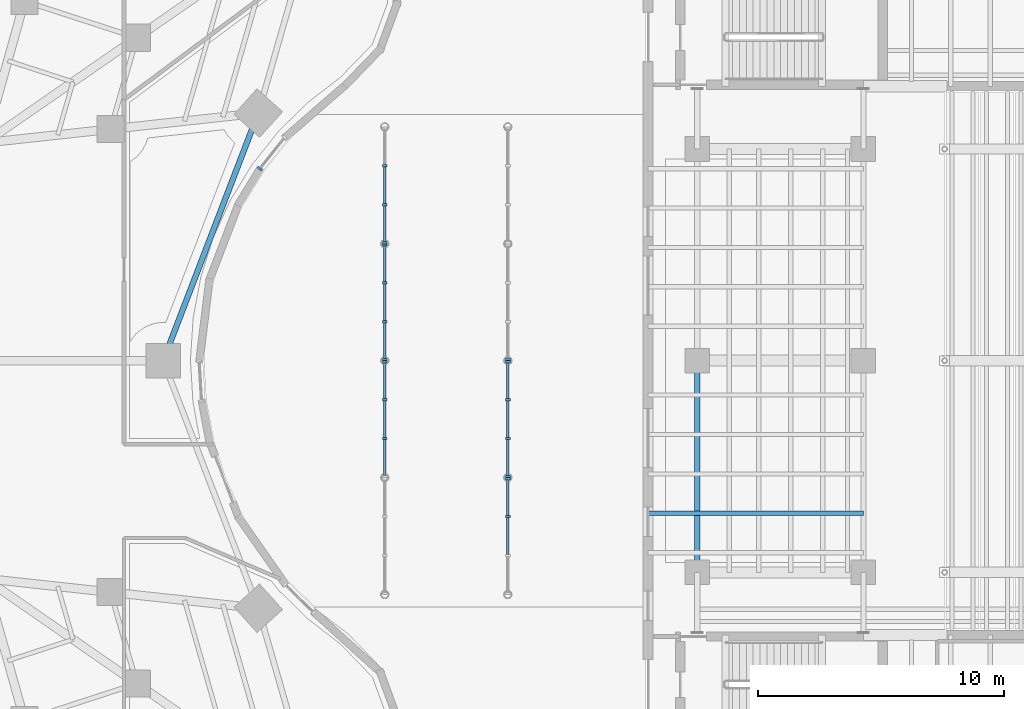
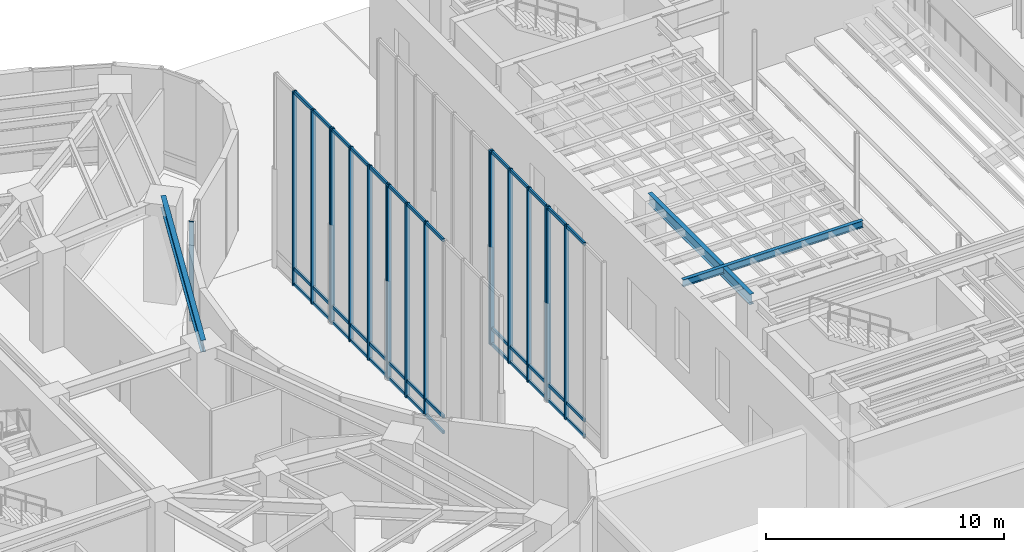
# One storey, part 9 of 28: 57 members, 3 beams, 7 elements without a shape of their own.
"""IFC4 building model written with IfcOpenShell, lengths in metres."""

import ifcopenshell
import ifcopenshell.guid

model = None  # the IFC model being written
_history = None  # IfcOwnerHistory: only IFC2X3 demands one
_inside = {}  # id of a spatial element -> (the spatial element, [elements in it])
_under = {}  # id of a project, library or spatial element -> (it, [spatial elements below it])
_declared = {}  # id of a project -> (the project, [libraries it declares])
_typed = {}  # id of a type object -> (the type object, [elements of that type])
_made_of = {}  # id of a material, layer set ... -> (it, [elements and type objects made of it])


def new_model(schema):
    """Start an empty IFC model of exactly this schema.

    Asked for "IFC4X3", IfcOpenShell would pick the latest addendum, in which some entities
    have other attributes; the version numbers below select the first issue.
    IFC2X3 requires an IfcOwnerHistory on every rooted entity: one is made here for all.
    """
    global model, _history
    if schema == "IFC4X3":
        model = ifcopenshell.file(schema_version=(4, 3, 0, 0))
    else:
        model = ifcopenshell.file(schema=schema)
    _inside.clear()
    _under.clear()
    _declared.clear()
    _typed.clear()
    _made_of.clear()
    _history = None
    if model.schema == "IFC2X3":
        org = make("IfcOrganization", Name="unknown")
        user = make(
            "IfcPersonAndOrganization",
            ThePerson=make("IfcPerson", FamilyName="unknown"),
            TheOrganization=org,
        )
        app = make(
            "IfcApplication",
            ApplicationDeveloper=org,
            Version="unknown",
            ApplicationFullName="unknown",
            ApplicationIdentifier="unknown",
        )
        _history = make(
            "IfcOwnerHistory",
            OwningUser=user,
            OwningApplication=app,
            ChangeAction="ADDED",
            CreationDate=0,
        )
    return model


def make(cls, **values):
    """One entity of the class cls with the attributes given. An attribute that is None is left unset."""
    return model.create_entity(
        cls, **{name: value for name, value in values.items() if value is not None}
    )


def rooted(cls, **values):
    """An entity with a GlobalId (a new one), such as an element, a storey or a relation."""
    return make(cls, GlobalId=ifcopenshell.guid.new(), OwnerHistory=_history, **values)


def si_unit(unit_type, name, prefix=None):
    """IfcSIUnit, for example si_unit("LENGTHUNIT", "METRE", prefix="MILLI")."""
    return make("IfcSIUnit", UnitType=unit_type, Prefix=prefix, Name=name)


def assignment(units):
    """IfcUnitAssignment: the units of a project."""
    return None if units is None else make("IfcUnitAssignment", Units=units)


def point(xyz):
    """IfcCartesianPoint."""
    return None if xyz is None else make("IfcCartesianPoint", Coordinates=xyz)


def direction(xyz):
    """IfcDirection."""
    return None if xyz is None else make("IfcDirection", DirectionRatios=xyz)


def frame(location, z_axis=None, x_axis=None):
    """IfcAxis2Placement3D, a coordinate frame: its origin and axes. An axis left out is left unset."""
    return make(
        "IfcAxis2Placement3D",
        Location=point(location),
        Axis=direction(z_axis),
        RefDirection=direction(x_axis),
    )


def frame_2d(location, x_axis=None):
    """IfcAxis2Placement2D, a coordinate frame in the plane: its origin and x axis."""
    return make(
        "IfcAxis2Placement2D", Location=point(location), RefDirection=direction(x_axis)
    )


def origin():
    """The frame at (0, 0, 0) with its axes left unset."""
    return frame((0.0, 0.0, 0.0))


def origin_2d():
    """The frame at (0, 0) in the plane with its x axis left unset."""
    return frame_2d((0.0, 0.0))


def place(relative_to, where):
    """IfcLocalPlacement: puts the frame where relative to a parent placement (None: the world)."""
    return make(
        "IfcLocalPlacement", PlacementRelTo=relative_to, RelativePlacement=where
    )


def context(
    kind, dimensions, precision=None, world=None, true_north=None, identifier=None
):
    """IfcGeometricRepresentationContext, for example the 3D "Model" context."""
    return make(
        "IfcGeometricRepresentationContext",
        ContextIdentifier=identifier,
        ContextType=kind,
        CoordinateSpaceDimension=dimensions,
        Precision=precision,
        WorldCoordinateSystem=world,
        TrueNorth=true_north,
    )


def subcontext(parent, identifier, kind, view, scale=None):
    """IfcGeometricRepresentationSubContext, for example "Body" below "Model"."""
    return make(
        "IfcGeometricRepresentationSubContext",
        ContextIdentifier=identifier,
        ContextType=kind,
        ParentContext=parent,
        TargetScale=scale,
        TargetView=view,
    )


def project(units=None, contexts=None):
    """IfcProject with its units and contexts."""
    return rooted(
        "IfcProject",
        Name="project",
        RepresentationContexts=contexts,
        UnitsInContext=assignment(units),
    )


def spatial(cls, under=None, at=None, **own):
    """A site, building, storey or space (cls), placed at a placement, below another one or the project."""
    s = rooted(cls, ObjectPlacement=at, **own)
    if under is not None:
        _under.setdefault(under.id(), (under, []))[1].append(s)
    return s


def profile(cls, at=None, kind="AREA", **sizes):
    """A parametric profile (cls). Its sizes go by their IFC names, for example OverallWidth=200.0."""
    return make(cls, ProfileType=kind, Position=at, **sizes)


def rectangle(**sizes):
    """IfcRectangleProfileDef."""
    return profile("IfcRectangleProfileDef", **sizes)


def i_section(**sizes):
    """IfcIShapeProfileDef."""
    return profile("IfcIShapeProfileDef", **sizes)


def extrude(swept, where, along, depth):
    """IfcExtrudedAreaSolid: the profile swept, set in the frame where, extruded along a direction by depth."""
    return make(
        "IfcExtrudedAreaSolid",
        SweptArea=swept,
        Position=where,
        ExtrudedDirection=direction(along),
        Depth=depth,
    )


def shape(context_of_items, identifier, shape_type, items):
    """IfcShapeRepresentation: the items that make up one representation, for example the "Body"."""
    return make(
        "IfcShapeRepresentation",
        ContextOfItems=context_of_items,
        RepresentationIdentifier=identifier,
        RepresentationType=shape_type,
        Items=items,
    )


def material(Name=None, Category=None):
    """IfcMaterial."""
    return make("IfcMaterial", Name=Name, Category=Category)


def layer(
    of_material, thickness, ventilated=None, Name=None, Category=None, Priority=None
):
    """IfcMaterialLayer: one layer of a wall or slab, of a material (None: an air gap)."""
    return make(
        "IfcMaterialLayer",
        Material=of_material,
        LayerThickness=thickness,
        IsVentilated=ventilated,
        Name=Name,
        Category=Category,
        Priority=Priority,
    )


def layer_set(layers, Name=None):
    """IfcMaterialLayerSet."""
    return make("IfcMaterialLayerSet", MaterialLayers=layers, LayerSetName=Name)


def material_profile(
    of_material, cross_section, Name=None, Category=None, Priority=None
):
    """IfcMaterialProfile: a cross section and its material."""
    return make(
        "IfcMaterialProfile",
        Name=Name,
        Material=of_material,
        Profile=cross_section,
        Priority=Priority,
        Category=Category,
    )


def profile_set(profiles, Name=None, composite=None):
    """IfcMaterialProfileSet."""
    return make(
        "IfcMaterialProfileSet",
        Name=Name,
        MaterialProfiles=profiles,
        CompositeProfile=composite,
    )


def made_of(thing, what):
    """Note that an element or type object is made of a material, layer set ...; save() writes the relation."""
    if what is not None:
        _made_of.setdefault(what.id(), (what, []))[1].append(thing)
    return thing


def type_object(cls, material=None, **own):
    """A type object (cls), such as IfcWallType, which elements share."""
    return made_of(rooted(cls, **own), material)


def element(
    cls,
    number,
    at=None,
    inside=None,
    cuts=None,
    type_object=None,
    material=None,
    context=None,
    identifier="Body",
    shape_type=None,
    held_by="IfcProductDefinitionShape",
    body=None,
    shapes=None,
    **own,
):
    """One element of the class cls, such as IfcWall. Its Tag is "e" and its number.

    at: its placement. inside: the storey or other place that contains it. cuts: it is an
    opening in that element (IfcRelVoidsElement). A single representation is given by context,
    identifier, shape_type and body (its items); several are given by shapes. held_by: the class
    of the entity that holds the representations. save() writes the other relations.
    """
    e = rooted(cls, Tag="e%d" % number, ObjectPlacement=at, **own)
    if body is not None:
        shapes = [shape(context, identifier, shape_type, body)]
    if shapes is not None:
        e.Representation = make(held_by, Representations=shapes)
    if inside is not None:
        _inside.setdefault(inside.id(), (inside, []))[1].append(e)
    if cuts is not None:
        rooted(
            "IfcRelVoidsElement", RelatingBuildingElement=cuts, RelatedOpeningElement=e
        )
    if type_object is not None:
        _typed.setdefault(type_object.id(), (type_object, []))[1].append(e)
    return made_of(e, material)


def aggregate(whole, parts):
    """IfcRelAggregates: a whole, such as a stair, and the parts it consists of."""
    return rooted("IfcRelAggregates", RelatingObject=whole, RelatedObjects=parts)


def save(model, path):
    """Write the relations noted so far, then the file.

    IfcRelAggregates (storeys below a building ...), IfcRelContainedInSpatialStructure (elements
    in a storey), IfcRelDefinesByType, IfcRelAssociatesMaterial and IfcRelDeclares: one each for
    every whole, place, type object, material and project.
    """
    for whole, parts in _under.values():
        aggregate(whole, parts)
    for where, things in _inside.values():
        rooted(
            "IfcRelContainedInSpatialStructure",
            RelatedElements=things,
            RelatingStructure=where,
        )
    for kind, things in _typed.values():
        rooted("IfcRelDefinesByType", RelatedObjects=things, RelatingType=kind)
    for what, things in _made_of.values():
        rooted("IfcRelAssociatesMaterial", RelatedObjects=things, RelatingMaterial=what)
    for by, libraries in _declared.values():
        rooted("IfcRelDeclares", RelatingContext=by, RelatedDefinitions=libraries)
    model.write(path)


model = new_model("IFC4")

# Units and contexts
model_context = context("Model", 3, precision=1e-05, world=origin(), true_north=direction((0.0, 1.0)))
body_context = subcontext(model_context, "Body", "Model", "MODEL_VIEW")
ifc_project = project(units=[si_unit("LENGTHUNIT", "METRE"), si_unit("AREAUNIT", "SQUARE_METRE"), si_unit("VOLUMEUNIT", "CUBIC_METRE"), si_unit("PLANEANGLEUNIT", "RADIAN"), si_unit("MASSUNIT", "GRAM", prefix="KILO")], contexts=[model_context])

# Site, building, storey
site_placement = place(None, origin())
site = spatial("IfcSite", under=ifc_project, at=site_placement, CompositionType="ELEMENT")
building_placement = place(site_placement, origin())
building = spatial("IfcBuilding", under=site, at=building_placement, Name="Korentha Bioscience Tower", CompositionType="ELEMENT")
storey_placement = place(building_placement, origin())
storey = spatial("IfcBuildingStorey", under=building, at=storey_placement, Name="L00", CompositionType="ELEMENT", Elevation=0.0)

# Curtain wall, member
ifc_material_1 = material(Name="Stone-Clad Aluminium Frame", Category="masonry")
ifc_layer_1 = layer(ifc_material_1, 0.219970703125, Name="Stone-Clad Aluminium Frame")
ifc_layer_set_1 = layer_set([ifc_layer_1], Name="Stone-Clad Aluminium Frame (CW-P1)")
curtain_wall_type_1 = type_object("IfcCurtainWallType", Name="Podium Double-Height Stone-Mullion Curtain Wall CW-P1", PredefinedType="USERDEFINED", material=ifc_layer_set_1)
curtain_wall_1_placement = place(storey_placement, origin())
curtain_wall_1 = element("IfcCurtainWall", 1, at=curtain_wall_1_placement, inside=storey, type_object=curtain_wall_type_1, Name="L00 Curtain Wall 55", ObjectType="UNITISED", PredefinedType="USERDEFINED")
ifc_material_2 = material(Name="Anodised Aluminium 6063-T6", Category="aluminium")
ifc_material_profile_1 = material_profile(ifc_material_2, rectangle(XDim=0.090087890625, YDim=0.199951171875, at=origin_2d()), Name="Anodised Aluminium 6063-T6")
ifc_profile_set_1 = profile_set([ifc_material_profile_1], Name="Anodised Aluminium 6063-T6 (CW-MUL)")
member_type_1 = type_object("IfcMemberType", Name="Mullion RECT 90x200", PredefinedType="MULLION", material=ifc_profile_set_1)
member_1_placement = place(storey_placement, frame((48.719482421875, 34.7978515625, 0.0), z_axis=(0.0, 0.0, 1.0), x_axis=(0.622520324648, 0.782603632371, 0.0)))
member_1 = element("IfcMember", 2, at=member_1_placement, type_object=member_type_1, Name="CW-L00-55 Mullion 1", PredefinedType="MULLION", context=body_context, shape_type="SweptSolid", body=[
    extrude(rectangle(XDim=0.090087890625, YDim=0.199951171875, at=origin_2d()), origin(), (0.0, 0.0, 1.0), 5.10009765625),
])
aggregate(curtain_wall_1, [member_1])

# Curtain wall, members
ifc_material_3 = material(Name="Painted Steel-Aluminium Mullion System", Category="steel")
ifc_layer_2 = layer(ifc_material_3, 0.219970703125, Name="Painted Steel-Aluminium Mullion System")
ifc_layer_set_2 = layer_set([ifc_layer_2], Name="Painted Steel-Aluminium Mullion System (CW-A1)")
curtain_wall_type_2 = type_object("IfcCurtainWallType", Name="Covered Public Arcade Glazed Wall CW-A1", PredefinedType="USERDEFINED", material=ifc_layer_set_2)
curtain_wall_2_placement = place(storey_placement, origin())
curtain_wall_2 = element("IfcCurtainWall", 3, at=curtain_wall_2_placement, inside=storey, type_object=curtain_wall_type_2, Name="Covered Arcade Curtain Wall E-1", ObjectType="ARCADE_GLAZING", PredefinedType="USERDEFINED")
member_2_placement = place(storey_placement, frame((58.800048828125, 20.666748046875, 0.0), z_axis=(0.0, 0.0, 1.0), x_axis=(0.0, 1.0, 0.0)))
member_2 = element("IfcMember", 4, at=member_2_placement, type_object=member_type_1, Name="CW-ARC-E-1 Mullion 3", PredefinedType="MULLION", context=body_context, shape_type="SweptSolid", body=[
    extrude(rectangle(XDim=0.090087890625, YDim=0.199951171875, at=origin_2d()), origin(), (0.0, 0.0, 1.0), 9.9599609375),
])
member_3_placement = place(storey_placement, frame((58.800048828125, 22.205078125, 0.0), z_axis=(0.0, 0.0, 1.0), x_axis=(0.0, 1.0, 0.0)))
member_3 = element("IfcMember", 5, at=member_3_placement, type_object=member_type_1, Name="CW-ARC-E-1 Mullion 4", PredefinedType="MULLION", context=body_context, shape_type="SweptSolid", body=[
    extrude(rectangle(XDim=0.090087890625, YDim=0.199951171875, at=origin_2d()), origin(), (0.0, 0.0, 1.0), 9.9599609375),
])

curtain_wall_3_placement = place(storey_placement, origin())
curtain_wall_3 = element("IfcCurtainWall", 6, at=curtain_wall_3_placement, inside=storey, type_object=curtain_wall_type_2, Name="Covered Arcade Curtain Wall E-2", ObjectType="ARCADE_GLAZING", PredefinedType="USERDEFINED")
member_4_placement = place(storey_placement, frame((58.800048828125, 22.294921875, 0.0), z_axis=(0.0, 0.0, 1.0), x_axis=(0.0, 1.0, 0.0)))
member_4 = element("IfcMember", 7, at=member_4_placement, type_object=member_type_1, Name="CW-ARC-E-2 Mullion 1", PredefinedType="MULLION", context=body_context, shape_type="SweptSolid", body=[
    extrude(rectangle(XDim=0.090087890625, YDim=0.199951171875, at=origin_2d()), origin(), (0.0, 0.0, 1.0), 9.9599609375),
])
member_5_placement = place(storey_placement, frame((58.800048828125, 23.833251953125, 0.0), z_axis=(0.0, 0.0, 1.0), x_axis=(0.0, 1.0, 0.0)))
member_5 = element("IfcMember", 8, at=member_5_placement, type_object=member_type_1, Name="CW-ARC-E-2 Mullion 2", PredefinedType="MULLION", context=body_context, shape_type="SweptSolid", body=[
    extrude(rectangle(XDim=0.090087890625, YDim=0.199951171875, at=origin_2d()), origin(), (0.0, 0.0, 1.0), 9.9599609375),
])
member_6_placement = place(storey_placement, frame((58.800048828125, 25.416748046875, 0.0), z_axis=(0.0, 0.0, 1.0), x_axis=(0.0, 1.0, 0.0)))
member_6 = element("IfcMember", 9, at=member_6_placement, type_object=member_type_1, Name="CW-ARC-E-2 Mullion 3", PredefinedType="MULLION", context=body_context, shape_type="SweptSolid", body=[
    extrude(rectangle(XDim=0.090087890625, YDim=0.199951171875, at=origin_2d()), origin(), (0.0, 0.0, 1.0), 9.9599609375),
])
member_7_placement = place(storey_placement, frame((58.800048828125, 26.955078125, 0.0), z_axis=(0.0, 0.0, 1.0), x_axis=(0.0, 1.0, 0.0)))
member_7 = element("IfcMember", 10, at=member_7_placement, type_object=member_type_1, Name="CW-ARC-E-2 Mullion 4", PredefinedType="MULLION", context=body_context, shape_type="SweptSolid", body=[
    extrude(rectangle(XDim=0.090087890625, YDim=0.199951171875, at=origin_2d()), origin(), (0.0, 0.0, 1.0), 9.9599609375),
])

curtain_wall_4_placement = place(storey_placement, origin())
curtain_wall_4 = element("IfcCurtainWall", 11, at=curtain_wall_4_placement, inside=storey, type_object=curtain_wall_type_2, Name="Covered Arcade Curtain Wall W-2", ObjectType="ARCADE_GLAZING", PredefinedType="USERDEFINED")
member_8_placement = place(storey_placement, frame((53.800048828125, 23.833251953125, 0.0), z_axis=(0.0, 0.0, 1.0), x_axis=(0.0, 1.0, 0.0)))
member_8 = element("IfcMember", 12, at=member_8_placement, type_object=member_type_1, Name="CW-ARC-W-2 Mullion 2", PredefinedType="MULLION", context=body_context, shape_type="SweptSolid", body=[
    extrude(rectangle(XDim=0.090087890625, YDim=0.199951171875, at=origin_2d()), origin(), (0.0, 0.0, 1.0), 9.9599609375),
])
member_9_placement = place(storey_placement, frame((53.800048828125, 25.416748046875, 0.0), z_axis=(0.0, 0.0, 1.0), x_axis=(0.0, 1.0, 0.0)))
member_9 = element("IfcMember", 13, at=member_9_placement, type_object=member_type_1, Name="CW-ARC-W-2 Mullion 3", PredefinedType="MULLION", context=body_context, shape_type="SweptSolid", body=[
    extrude(rectangle(XDim=0.090087890625, YDim=0.199951171875, at=origin_2d()), origin(), (0.0, 0.0, 1.0), 9.9599609375),
])
member_10_placement = place(storey_placement, frame((53.800048828125, 26.955078125, 0.0), z_axis=(0.0, 0.0, 1.0), x_axis=(0.0, 1.0, 0.0)))
member_10 = element("IfcMember", 14, at=member_10_placement, type_object=member_type_1, Name="CW-ARC-W-2 Mullion 4", PredefinedType="MULLION", context=body_context, shape_type="SweptSolid", body=[
    extrude(rectangle(XDim=0.090087890625, YDim=0.199951171875, at=origin_2d()), origin(), (0.0, 0.0, 1.0), 9.9599609375),
])

# Curtain wall, member
curtain_wall_5_placement = place(storey_placement, origin())
curtain_wall_5 = element("IfcCurtainWall", 15, at=curtain_wall_5_placement, inside=storey, type_object=curtain_wall_type_2, Name="Covered Arcade Curtain Wall E-3", ObjectType="ARCADE_GLAZING", PredefinedType="USERDEFINED")
member_11_placement = place(storey_placement, frame((58.800048828125, 27.044921875, 0.0), z_axis=(0.0, 0.0, 1.0), x_axis=(0.0, 1.0, 0.0)))
member_11 = element("IfcMember", 16, at=member_11_placement, type_object=member_type_1, Name="CW-ARC-E-3 Mullion 1", PredefinedType="MULLION", context=body_context, shape_type="SweptSolid", body=[
    extrude(rectangle(XDim=0.090087890625, YDim=0.199951171875, at=origin_2d()), origin(), (0.0, 0.0, 1.0), 9.9599609375),
])
aggregate(curtain_wall_5, [member_11])

# Curtain wall, members
curtain_wall_6_placement = place(storey_placement, origin())
curtain_wall_6 = element("IfcCurtainWall", 17, at=curtain_wall_6_placement, inside=storey, type_object=curtain_wall_type_2, Name="Covered Arcade Curtain Wall W-3", ObjectType="ARCADE_GLAZING", PredefinedType="USERDEFINED")
member_12_placement = place(storey_placement, frame((53.800048828125, 27.044921875, 0.0), z_axis=(0.0, 0.0, 1.0), x_axis=(0.0, 1.0, 0.0)))
member_12 = element("IfcMember", 18, at=member_12_placement, type_object=member_type_1, Name="CW-ARC-W-3 Mullion 1", PredefinedType="MULLION", context=body_context, shape_type="SweptSolid", body=[
    extrude(rectangle(XDim=0.090087890625, YDim=0.199951171875, at=origin_2d()), origin(), (0.0, 0.0, 1.0), 9.9599609375),
])
member_13_placement = place(storey_placement, frame((53.800048828125, 28.583251953125, 0.0), z_axis=(0.0, 0.0, 1.0), x_axis=(0.0, 1.0, 0.0)))
member_13 = element("IfcMember", 19, at=member_13_placement, type_object=member_type_1, Name="CW-ARC-W-3 Mullion 2", PredefinedType="MULLION", context=body_context, shape_type="SweptSolid", body=[
    extrude(rectangle(XDim=0.090087890625, YDim=0.199951171875, at=origin_2d()), origin(), (0.0, 0.0, 1.0), 9.9599609375),
])
member_14_placement = place(storey_placement, frame((53.800048828125, 30.166748046875, 0.0), z_axis=(0.0, 0.0, 1.0), x_axis=(0.0, 1.0, 0.0)))
member_14 = element("IfcMember", 20, at=member_14_placement, type_object=member_type_1, Name="CW-ARC-W-3 Mullion 3", PredefinedType="MULLION", context=body_context, shape_type="SweptSolid", body=[
    extrude(rectangle(XDim=0.090087890625, YDim=0.199951171875, at=origin_2d()), origin(), (0.0, 0.0, 1.0), 9.9599609375),
])
member_15_placement = place(storey_placement, frame((53.800048828125, 31.705078125, 0.0), z_axis=(0.0, 0.0, 1.0), x_axis=(0.0, 1.0, 0.0)))
member_15 = element("IfcMember", 21, at=member_15_placement, type_object=member_type_1, Name="CW-ARC-W-3 Mullion 4", PredefinedType="MULLION", context=body_context, shape_type="SweptSolid", body=[
    extrude(rectangle(XDim=0.090087890625, YDim=0.199951171875, at=origin_2d()), origin(), (0.0, 0.0, 1.0), 9.9599609375),
])

curtain_wall_7_placement = place(storey_placement, origin())
curtain_wall_7 = element("IfcCurtainWall", 22, at=curtain_wall_7_placement, inside=storey, type_object=curtain_wall_type_2, Name="Covered Arcade Curtain Wall W-4", ObjectType="ARCADE_GLAZING", PredefinedType="USERDEFINED")
member_16_placement = place(storey_placement, frame((53.800048828125, 31.794921875, 0.0), z_axis=(0.0, 0.0, 1.0), x_axis=(0.0, 1.0, 0.0)))
member_16 = element("IfcMember", 23, at=member_16_placement, type_object=member_type_1, Name="CW-ARC-W-4 Mullion 1", PredefinedType="MULLION", context=body_context, shape_type="SweptSolid", body=[
    extrude(rectangle(XDim=0.090087890625, YDim=0.199951171875, at=origin_2d()), origin(), (0.0, 0.0, 1.0), 9.9599609375),
])
member_17_placement = place(storey_placement, frame((53.800048828125, 33.333251953125, 0.0), z_axis=(0.0, 0.0, 1.0), x_axis=(0.0, 1.0, 0.0)))
member_17 = element("IfcMember", 24, at=member_17_placement, type_object=member_type_1, Name="CW-ARC-W-4 Mullion 2", PredefinedType="MULLION", context=body_context, shape_type="SweptSolid", body=[
    extrude(rectangle(XDim=0.090087890625, YDim=0.199951171875, at=origin_2d()), origin(), (0.0, 0.0, 1.0), 9.9599609375),
])
member_18_placement = place(storey_placement, frame((53.800048828125, 34.916748046875, 0.0), z_axis=(0.0, 0.0, 1.0), x_axis=(0.0, 1.0, 0.0)))
member_18 = element("IfcMember", 25, at=member_18_placement, type_object=member_type_1, Name="CW-ARC-W-4 Mullion 3", PredefinedType="MULLION", context=body_context, shape_type="SweptSolid", body=[
    extrude(rectangle(XDim=0.090087890625, YDim=0.199951171875, at=origin_2d()), origin(), (0.0, 0.0, 1.0), 9.9599609375),
])

# Beams
ifc_material_4 = material(Name="Steel S355", Category="steel")
ifc_material_profile_2 = material_profile(ifc_material_4, i_section(OverallWidth=0.208984375, OverallDepth=0.532958984375, WebThickness=0.01025390625, FlangeThickness=0.015625, at=origin_2d()), Name="Steel S355")
ifc_profile_set_2 = profile_set([ifc_material_profile_2], Name="Steel S355 (SB-530)")
beam_type_1 = type_object("IfcBeamType", Name="Perimeter Ring Spandrel Girder W530x92", PredefinedType="SPANDREL", material=ifc_profile_set_2)
beam_1_placement = place(storey_placement, frame((66.5, 18.39990234375, 4.83349609375), z_axis=(0.0, 1.0, 0.0), x_axis=(-1.0, 0.0, 0.0)))
element("IfcBeam", 26, at=beam_1_placement, inside=storey, type_object=beam_type_1, Name="L00 Theatre Collector Girder 1-4", PredefinedType="SPANDREL", context=body_context, shape_type="SweptSolid", body=[
    extrude(i_section(OverallWidth=0.208984375, OverallDepth=0.532958984375, WebThickness=0.01025390625, FlangeThickness=0.015625, at=origin_2d()), origin(), (0.0, 0.0, 1.0), 8.60009765625),
])
ifc_material_profile_3 = material_profile(ifc_material_4, i_section(OverallWidth=0.22802734375, OverallDepth=0.60791015625, WebThickness=0.01123046875, FlangeThickness=0.017333984375, at=origin_2d()), Name="Steel S355")
ifc_profile_set_3 = profile_set([ifc_material_profile_3], Name="Steel S355 (SB-610)")
beam_type_2 = type_object("IfcBeamType", Name="Perimeter Ring Spandrel Girder W610x113", PredefinedType="SPANDREL", material=ifc_profile_set_3)
beam_2_placement = place(storey_placement, frame((44.798583984375, 27.0, 4.7958984375), z_axis=(0.358473520253, 0.93353989485, 0.0), x_axis=(-0.93353989485, 0.358473520253, 0.0)))
element("IfcBeam", 27, at=beam_2_placement, inside=storey, type_object=beam_type_2, Name="L00 Perimeter Spandrel Girder 15", PredefinedType="SPANDREL", context=body_context, shape_type="SweptSolid", body=[
    extrude(i_section(OverallWidth=0.22802734375, OverallDepth=0.60791015625, WebThickness=0.01123046875, FlangeThickness=0.017333984375, at=origin_2d()), origin(), (0.0, 0.0, 1.0), 10.777099609375),
])
ifc_material_profile_4 = material_profile(ifc_material_4, i_section(OverallWidth=0.1708984375, OverallDepth=0.35498046875, WebThickness=0.007080078125, FlangeThickness=0.01171875, at=origin_2d()), Name="Steel S355")
ifc_profile_set_4 = profile_set([ifc_material_profile_4], Name="Steel S355 (JB-360)")
beam_type_3 = type_object("IfcBeamType", Name="Secondary Laboratory Joist W360x51", PredefinedType="JOIST", material=ifc_profile_set_4)
beam_3_placement = place(storey_placement, frame((64.5, 20.800048828125, 4.922607421875), z_axis=(1.0, 0.0, 0.0), x_axis=(0.0, 1.0, 0.0)))
element("IfcBeam", 28, at=beam_3_placement, inside=storey, type_object=beam_type_3, Name="L00 Theatre Foyer Joist 02", PredefinedType="JOIST", context=body_context, shape_type="SweptSolid", body=[
    extrude(i_section(OverallWidth=0.1708984375, OverallDepth=0.35498046875, WebThickness=0.007080078125, FlangeThickness=0.01171875, at=origin_2d()), origin(), (0.0, 0.0, 1.0), 8.75),
])

# Member
ifc_material_profile_5 = material_profile(ifc_material_2, rectangle(XDim=0.090087890625, YDim=0.159912109375, at=origin_2d()), Name="Anodised Aluminium 6063-T6")
ifc_profile_set_5 = profile_set([ifc_material_profile_5], Name="Anodised Aluminium 6063-T6 (CW-TRN)")
member_type_2 = type_object("IfcMemberType", Name="Transom RECT 90x160", PredefinedType="USERDEFINED", material=ifc_profile_set_5)
member_19_placement = place(storey_placement, frame((58.800048828125, 19.12841796875, 0.044921875), z_axis=(0.0, 1.0, 0.0), x_axis=(-1.0, 0.0, 0.0)))
member_19 = element("IfcMember", 29, at=member_19_placement, type_object=member_type_2, Name="CW-ARC-E-1 Bay 2 Transom 1", ObjectType="TRANSOM", PredefinedType="USERDEFINED", context=body_context, shape_type="SweptSolid", body=[
    extrude(rectangle(XDim=0.090087890625, YDim=0.159912109375, at=origin_2d()), origin(), (0.0, 0.0, 1.0), 1.4931640625),
])

member_20_placement = place(storey_placement, frame((58.800048828125, 19.12841796875, 0.85009765625), z_axis=(0.0, 1.0, 0.0), x_axis=(-1.0, 0.0, 0.0)))
member_20 = element("IfcMember", 30, at=member_20_placement, type_object=member_type_2, Name="CW-ARC-E-1 Bay 2 Transom 2", ObjectType="TRANSOM", PredefinedType="USERDEFINED", context=body_context, shape_type="SweptSolid", body=[
    extrude(rectangle(XDim=0.090087890625, YDim=0.159912109375, at=origin_2d()), origin(), (0.0, 0.0, 1.0), 1.4931640625),
])

member_21_placement = place(storey_placement, frame((58.800048828125, 19.12841796875, 9.9150390625), z_axis=(0.0, 1.0, 0.0), x_axis=(-1.0, 0.0, 0.0)))
member_21 = element("IfcMember", 31, at=member_21_placement, type_object=member_type_2, Name="CW-ARC-E-1 Bay 2 Transom 3", ObjectType="TRANSOM", PredefinedType="USERDEFINED", context=body_context, shape_type="SweptSolid", body=[
    extrude(rectangle(XDim=0.090087890625, YDim=0.159912109375, at=origin_2d()), origin(), (0.0, 0.0, 1.0), 1.4931640625),
])

member_22_placement = place(storey_placement, frame((58.800048828125, 20.711669921875, 0.044921875), z_axis=(0.0, 1.0, 0.0), x_axis=(-1.0, 0.0, 0.0)))
member_22 = element("IfcMember", 32, at=member_22_placement, type_object=member_type_2, Name="CW-ARC-E-1 Bay 3 Transom 1", ObjectType="TRANSOM", PredefinedType="USERDEFINED", context=body_context, shape_type="SweptSolid", body=[
    extrude(rectangle(XDim=0.090087890625, YDim=0.159912109375, at=origin_2d()), origin(), (0.0, 0.0, 1.0), 1.4482421875),
])

member_23_placement = place(storey_placement, frame((58.800048828125, 20.711669921875, 0.85009765625), z_axis=(0.0, 1.0, 0.0), x_axis=(-1.0, 0.0, 0.0)))
member_23 = element("IfcMember", 33, at=member_23_placement, type_object=member_type_2, Name="CW-ARC-E-1 Bay 3 Transom 2", ObjectType="TRANSOM", PredefinedType="USERDEFINED", context=body_context, shape_type="SweptSolid", body=[
    extrude(rectangle(XDim=0.090087890625, YDim=0.159912109375, at=origin_2d()), origin(), (0.0, 0.0, 1.0), 1.4482421875),
])

member_24_placement = place(storey_placement, frame((58.800048828125, 20.711669921875, 9.9150390625), z_axis=(0.0, 1.0, 0.0), x_axis=(-1.0, 0.0, 0.0)))
member_24 = element("IfcMember", 34, at=member_24_placement, type_object=member_type_2, Name="CW-ARC-E-1 Bay 3 Transom 3", ObjectType="TRANSOM", PredefinedType="USERDEFINED", context=body_context, shape_type="SweptSolid", body=[
    extrude(rectangle(XDim=0.090087890625, YDim=0.159912109375, at=origin_2d()), origin(), (0.0, 0.0, 1.0), 1.4482421875),
])

aggregate(curtain_wall_2, [member_2, member_3, member_19, member_20, member_21, member_22, member_23, member_24])

member_25_placement = place(storey_placement, frame((58.800048828125, 22.340087890625, 0.044921875), z_axis=(0.0, 1.0, 0.0), x_axis=(-1.0, 0.0, 0.0)))
member_25 = element("IfcMember", 35, at=member_25_placement, type_object=member_type_2, Name="CW-ARC-E-2 Bay 1 Transom 1", ObjectType="TRANSOM", PredefinedType="USERDEFINED", context=body_context, shape_type="SweptSolid", body=[
    extrude(rectangle(XDim=0.090087890625, YDim=0.159912109375, at=origin_2d()), origin(), (0.0, 0.0, 1.0), 1.4482421875),
])

member_26_placement = place(storey_placement, frame((58.800048828125, 22.340087890625, 0.85009765625), z_axis=(0.0, 1.0, 0.0), x_axis=(-1.0, 0.0, 0.0)))
member_26 = element("IfcMember", 36, at=member_26_placement, type_object=member_type_2, Name="CW-ARC-E-2 Bay 1 Transom 2", ObjectType="TRANSOM", PredefinedType="USERDEFINED", context=body_context, shape_type="SweptSolid", body=[
    extrude(rectangle(XDim=0.090087890625, YDim=0.159912109375, at=origin_2d()), origin(), (0.0, 0.0, 1.0), 1.4482421875),
])

member_27_placement = place(storey_placement, frame((58.800048828125, 22.340087890625, 9.9150390625), z_axis=(0.0, 1.0, 0.0), x_axis=(-1.0, 0.0, 0.0)))
member_27 = element("IfcMember", 37, at=member_27_placement, type_object=member_type_2, Name="CW-ARC-E-2 Bay 1 Transom 3", ObjectType="TRANSOM", PredefinedType="USERDEFINED", context=body_context, shape_type="SweptSolid", body=[
    extrude(rectangle(XDim=0.090087890625, YDim=0.159912109375, at=origin_2d()), origin(), (0.0, 0.0, 1.0), 1.4482421875),
])

member_28_placement = place(storey_placement, frame((58.800048828125, 23.87841796875, 0.044921875), z_axis=(0.0, 1.0, 0.0), x_axis=(-1.0, 0.0, 0.0)))
member_28 = element("IfcMember", 38, at=member_28_placement, type_object=member_type_2, Name="CW-ARC-E-2 Bay 2 Transom 1", ObjectType="TRANSOM", PredefinedType="USERDEFINED", context=body_context, shape_type="SweptSolid", body=[
    extrude(rectangle(XDim=0.090087890625, YDim=0.159912109375, at=origin_2d()), origin(), (0.0, 0.0, 1.0), 1.4931640625),
])

member_29_placement = place(storey_placement, frame((58.800048828125, 23.87841796875, 0.85009765625), z_axis=(0.0, 1.0, 0.0), x_axis=(-1.0, 0.0, 0.0)))
member_29 = element("IfcMember", 39, at=member_29_placement, type_object=member_type_2, Name="CW-ARC-E-2 Bay 2 Transom 2", ObjectType="TRANSOM", PredefinedType="USERDEFINED", context=body_context, shape_type="SweptSolid", body=[
    extrude(rectangle(XDim=0.090087890625, YDim=0.159912109375, at=origin_2d()), origin(), (0.0, 0.0, 1.0), 1.4931640625),
])

member_30_placement = place(storey_placement, frame((58.800048828125, 23.87841796875, 9.9150390625), z_axis=(0.0, 1.0, 0.0), x_axis=(-1.0, 0.0, 0.0)))
member_30 = element("IfcMember", 40, at=member_30_placement, type_object=member_type_2, Name="CW-ARC-E-2 Bay 2 Transom 3", ObjectType="TRANSOM", PredefinedType="USERDEFINED", context=body_context, shape_type="SweptSolid", body=[
    extrude(rectangle(XDim=0.090087890625, YDim=0.159912109375, at=origin_2d()), origin(), (0.0, 0.0, 1.0), 1.4931640625),
])

member_31_placement = place(storey_placement, frame((58.800048828125, 25.461669921875, 0.044921875), z_axis=(0.0, 1.0, 0.0), x_axis=(-1.0, 0.0, 0.0)))
member_31 = element("IfcMember", 41, at=member_31_placement, type_object=member_type_2, Name="CW-ARC-E-2 Bay 3 Transom 1", ObjectType="TRANSOM", PredefinedType="USERDEFINED", context=body_context, shape_type="SweptSolid", body=[
    extrude(rectangle(XDim=0.090087890625, YDim=0.159912109375, at=origin_2d()), origin(), (0.0, 0.0, 1.0), 1.4482421875),
])

member_32_placement = place(storey_placement, frame((58.800048828125, 25.461669921875, 0.85009765625), z_axis=(0.0, 1.0, 0.0), x_axis=(-1.0, 0.0, 0.0)))
member_32 = element("IfcMember", 42, at=member_32_placement, type_object=member_type_2, Name="CW-ARC-E-2 Bay 3 Transom 2", ObjectType="TRANSOM", PredefinedType="USERDEFINED", context=body_context, shape_type="SweptSolid", body=[
    extrude(rectangle(XDim=0.090087890625, YDim=0.159912109375, at=origin_2d()), origin(), (0.0, 0.0, 1.0), 1.4482421875),
])

member_33_placement = place(storey_placement, frame((58.800048828125, 25.461669921875, 9.9150390625), z_axis=(0.0, 1.0, 0.0), x_axis=(-1.0, 0.0, 0.0)))
member_33 = element("IfcMember", 43, at=member_33_placement, type_object=member_type_2, Name="CW-ARC-E-2 Bay 3 Transom 3", ObjectType="TRANSOM", PredefinedType="USERDEFINED", context=body_context, shape_type="SweptSolid", body=[
    extrude(rectangle(XDim=0.090087890625, YDim=0.159912109375, at=origin_2d()), origin(), (0.0, 0.0, 1.0), 1.4482421875),
])

aggregate(curtain_wall_3, [member_4, member_5, member_6, member_7, member_25, member_26, member_27, member_28, member_29, member_30, member_31, member_32, member_33])

member_34_placement = place(storey_placement, frame((53.800048828125, 22.340087890625, 0.044921875), z_axis=(0.0, 1.0, 0.0), x_axis=(-1.0, 0.0, 0.0)))
member_34 = element("IfcMember", 44, at=member_34_placement, type_object=member_type_2, Name="CW-ARC-W-2 Bay 1 Transom 1", ObjectType="TRANSOM", PredefinedType="USERDEFINED", context=body_context, shape_type="SweptSolid", body=[
    extrude(rectangle(XDim=0.090087890625, YDim=0.159912109375, at=origin_2d()), origin(), (0.0, 0.0, 1.0), 1.4482421875),
])

member_35_placement = place(storey_placement, frame((53.800048828125, 22.340087890625, 0.85009765625), z_axis=(0.0, 1.0, 0.0), x_axis=(-1.0, 0.0, 0.0)))
member_35 = element("IfcMember", 45, at=member_35_placement, type_object=member_type_2, Name="CW-ARC-W-2 Bay 1 Transom 2", ObjectType="TRANSOM", PredefinedType="USERDEFINED", context=body_context, shape_type="SweptSolid", body=[
    extrude(rectangle(XDim=0.090087890625, YDim=0.159912109375, at=origin_2d()), origin(), (0.0, 0.0, 1.0), 1.4482421875),
])

member_36_placement = place(storey_placement, frame((53.800048828125, 22.340087890625, 9.9150390625), z_axis=(0.0, 1.0, 0.0), x_axis=(-1.0, 0.0, 0.0)))
member_36 = element("IfcMember", 46, at=member_36_placement, type_object=member_type_2, Name="CW-ARC-W-2 Bay 1 Transom 3", ObjectType="TRANSOM", PredefinedType="USERDEFINED", context=body_context, shape_type="SweptSolid", body=[
    extrude(rectangle(XDim=0.090087890625, YDim=0.159912109375, at=origin_2d()), origin(), (0.0, 0.0, 1.0), 1.4482421875),
])

member_37_placement = place(storey_placement, frame((53.800048828125, 23.87841796875, 0.044921875), z_axis=(0.0, 1.0, 0.0), x_axis=(-1.0, 0.0, 0.0)))
member_37 = element("IfcMember", 47, at=member_37_placement, type_object=member_type_2, Name="CW-ARC-W-2 Bay 2 Transom 1", ObjectType="TRANSOM", PredefinedType="USERDEFINED", context=body_context, shape_type="SweptSolid", body=[
    extrude(rectangle(XDim=0.090087890625, YDim=0.159912109375, at=origin_2d()), origin(), (0.0, 0.0, 1.0), 1.4931640625),
])

member_38_placement = place(storey_placement, frame((53.800048828125, 23.87841796875, 0.85009765625), z_axis=(0.0, 1.0, 0.0), x_axis=(-1.0, 0.0, 0.0)))
member_38 = element("IfcMember", 48, at=member_38_placement, type_object=member_type_2, Name="CW-ARC-W-2 Bay 2 Transom 2", ObjectType="TRANSOM", PredefinedType="USERDEFINED", context=body_context, shape_type="SweptSolid", body=[
    extrude(rectangle(XDim=0.090087890625, YDim=0.159912109375, at=origin_2d()), origin(), (0.0, 0.0, 1.0), 1.4931640625),
])

member_39_placement = place(storey_placement, frame((53.800048828125, 23.87841796875, 9.9150390625), z_axis=(0.0, 1.0, 0.0), x_axis=(-1.0, 0.0, 0.0)))
member_39 = element("IfcMember", 49, at=member_39_placement, type_object=member_type_2, Name="CW-ARC-W-2 Bay 2 Transom 3", ObjectType="TRANSOM", PredefinedType="USERDEFINED", context=body_context, shape_type="SweptSolid", body=[
    extrude(rectangle(XDim=0.090087890625, YDim=0.159912109375, at=origin_2d()), origin(), (0.0, 0.0, 1.0), 1.4931640625),
])

member_40_placement = place(storey_placement, frame((53.800048828125, 25.461669921875, 0.044921875), z_axis=(0.0, 1.0, 0.0), x_axis=(-1.0, 0.0, 0.0)))
member_40 = element("IfcMember", 50, at=member_40_placement, type_object=member_type_2, Name="CW-ARC-W-2 Bay 3 Transom 1", ObjectType="TRANSOM", PredefinedType="USERDEFINED", context=body_context, shape_type="SweptSolid", body=[
    extrude(rectangle(XDim=0.090087890625, YDim=0.159912109375, at=origin_2d()), origin(), (0.0, 0.0, 1.0), 1.4482421875),
])

member_41_placement = place(storey_placement, frame((53.800048828125, 25.461669921875, 0.85009765625), z_axis=(0.0, 1.0, 0.0), x_axis=(-1.0, 0.0, 0.0)))
member_41 = element("IfcMember", 51, at=member_41_placement, type_object=member_type_2, Name="CW-ARC-W-2 Bay 3 Transom 2", ObjectType="TRANSOM", PredefinedType="USERDEFINED", context=body_context, shape_type="SweptSolid", body=[
    extrude(rectangle(XDim=0.090087890625, YDim=0.159912109375, at=origin_2d()), origin(), (0.0, 0.0, 1.0), 1.4482421875),
])

member_42_placement = place(storey_placement, frame((53.800048828125, 25.461669921875, 9.9150390625), z_axis=(0.0, 1.0, 0.0), x_axis=(-1.0, 0.0, 0.0)))
member_42 = element("IfcMember", 52, at=member_42_placement, type_object=member_type_2, Name="CW-ARC-W-2 Bay 3 Transom 3", ObjectType="TRANSOM", PredefinedType="USERDEFINED", context=body_context, shape_type="SweptSolid", body=[
    extrude(rectangle(XDim=0.090087890625, YDim=0.159912109375, at=origin_2d()), origin(), (0.0, 0.0, 1.0), 1.4482421875),
])

aggregate(curtain_wall_4, [member_8, member_9, member_10, member_34, member_35, member_36, member_37, member_38, member_39, member_40, member_41, member_42])

member_43_placement = place(storey_placement, frame((53.800048828125, 27.090087890625, 0.044921875), z_axis=(0.0, 1.0, 0.0), x_axis=(-1.0, 0.0, 0.0)))
member_43 = element("IfcMember", 53, at=member_43_placement, type_object=member_type_2, Name="CW-ARC-W-3 Bay 1 Transom 1", ObjectType="TRANSOM", PredefinedType="USERDEFINED", context=body_context, shape_type="SweptSolid", body=[
    extrude(rectangle(XDim=0.090087890625, YDim=0.159912109375, at=origin_2d()), origin(), (0.0, 0.0, 1.0), 1.4482421875),
])

member_44_placement = place(storey_placement, frame((53.800048828125, 27.090087890625, 0.85009765625), z_axis=(0.0, 1.0, 0.0), x_axis=(-1.0, 0.0, 0.0)))
member_44 = element("IfcMember", 54, at=member_44_placement, type_object=member_type_2, Name="CW-ARC-W-3 Bay 1 Transom 2", ObjectType="TRANSOM", PredefinedType="USERDEFINED", context=body_context, shape_type="SweptSolid", body=[
    extrude(rectangle(XDim=0.090087890625, YDim=0.159912109375, at=origin_2d()), origin(), (0.0, 0.0, 1.0), 1.4482421875),
])

member_45_placement = place(storey_placement, frame((53.800048828125, 27.090087890625, 9.9150390625), z_axis=(0.0, 1.0, 0.0), x_axis=(-1.0, 0.0, 0.0)))
member_45 = element("IfcMember", 55, at=member_45_placement, type_object=member_type_2, Name="CW-ARC-W-3 Bay 1 Transom 3", ObjectType="TRANSOM", PredefinedType="USERDEFINED", context=body_context, shape_type="SweptSolid", body=[
    extrude(rectangle(XDim=0.090087890625, YDim=0.159912109375, at=origin_2d()), origin(), (0.0, 0.0, 1.0), 1.4482421875),
])

member_46_placement = place(storey_placement, frame((53.800048828125, 28.62841796875, 0.044921875), z_axis=(0.0, 1.0, 0.0), x_axis=(-1.0, 0.0, 0.0)))
member_46 = element("IfcMember", 56, at=member_46_placement, type_object=member_type_2, Name="CW-ARC-W-3 Bay 2 Transom 1", ObjectType="TRANSOM", PredefinedType="USERDEFINED", context=body_context, shape_type="SweptSolid", body=[
    extrude(rectangle(XDim=0.090087890625, YDim=0.159912109375, at=origin_2d()), origin(), (0.0, 0.0, 1.0), 1.4931640625),
])

member_47_placement = place(storey_placement, frame((53.800048828125, 28.62841796875, 0.85009765625), z_axis=(0.0, 1.0, 0.0), x_axis=(-1.0, 0.0, 0.0)))
member_47 = element("IfcMember", 57, at=member_47_placement, type_object=member_type_2, Name="CW-ARC-W-3 Bay 2 Transom 2", ObjectType="TRANSOM", PredefinedType="USERDEFINED", context=body_context, shape_type="SweptSolid", body=[
    extrude(rectangle(XDim=0.090087890625, YDim=0.159912109375, at=origin_2d()), origin(), (0.0, 0.0, 1.0), 1.4931640625),
])

member_48_placement = place(storey_placement, frame((53.800048828125, 28.62841796875, 9.9150390625), z_axis=(0.0, 1.0, 0.0), x_axis=(-1.0, 0.0, 0.0)))
member_48 = element("IfcMember", 58, at=member_48_placement, type_object=member_type_2, Name="CW-ARC-W-3 Bay 2 Transom 3", ObjectType="TRANSOM", PredefinedType="USERDEFINED", context=body_context, shape_type="SweptSolid", body=[
    extrude(rectangle(XDim=0.090087890625, YDim=0.159912109375, at=origin_2d()), origin(), (0.0, 0.0, 1.0), 1.4931640625),
])

member_49_placement = place(storey_placement, frame((53.800048828125, 30.211669921875, 0.044921875), z_axis=(0.0, 1.0, 0.0), x_axis=(-1.0, 0.0, 0.0)))
member_49 = element("IfcMember", 59, at=member_49_placement, type_object=member_type_2, Name="CW-ARC-W-3 Bay 3 Transom 1", ObjectType="TRANSOM", PredefinedType="USERDEFINED", context=body_context, shape_type="SweptSolid", body=[
    extrude(rectangle(XDim=0.090087890625, YDim=0.159912109375, at=origin_2d()), origin(), (0.0, 0.0, 1.0), 1.4482421875),
])

member_50_placement = place(storey_placement, frame((53.800048828125, 30.211669921875, 0.85009765625), z_axis=(0.0, 1.0, 0.0), x_axis=(-1.0, 0.0, 0.0)))
member_50 = element("IfcMember", 60, at=member_50_placement, type_object=member_type_2, Name="CW-ARC-W-3 Bay 3 Transom 2", ObjectType="TRANSOM", PredefinedType="USERDEFINED", context=body_context, shape_type="SweptSolid", body=[
    extrude(rectangle(XDim=0.090087890625, YDim=0.159912109375, at=origin_2d()), origin(), (0.0, 0.0, 1.0), 1.4482421875),
])

member_51_placement = place(storey_placement, frame((53.800048828125, 30.211669921875, 9.9150390625), z_axis=(0.0, 1.0, 0.0), x_axis=(-1.0, 0.0, 0.0)))
member_51 = element("IfcMember", 61, at=member_51_placement, type_object=member_type_2, Name="CW-ARC-W-3 Bay 3 Transom 3", ObjectType="TRANSOM", PredefinedType="USERDEFINED", context=body_context, shape_type="SweptSolid", body=[
    extrude(rectangle(XDim=0.090087890625, YDim=0.159912109375, at=origin_2d()), origin(), (0.0, 0.0, 1.0), 1.4482421875),
])

aggregate(curtain_wall_6, [member_12, member_13, member_14, member_15, member_43, member_44, member_45, member_46, member_47, member_48, member_49, member_50, member_51])

member_52_placement = place(storey_placement, frame((53.800048828125, 31.840087890625, 0.044921875), z_axis=(0.0, 1.0, 0.0), x_axis=(-1.0, 0.0, 0.0)))
member_52 = element("IfcMember", 62, at=member_52_placement, type_object=member_type_2, Name="CW-ARC-W-4 Bay 1 Transom 1", ObjectType="TRANSOM", PredefinedType="USERDEFINED", context=body_context, shape_type="SweptSolid", body=[
    extrude(rectangle(XDim=0.090087890625, YDim=0.159912109375, at=origin_2d()), origin(), (0.0, 0.0, 1.0), 1.4482421875),
])

member_53_placement = place(storey_placement, frame((53.800048828125, 31.840087890625, 0.85009765625), z_axis=(0.0, 1.0, 0.0), x_axis=(-1.0, 0.0, 0.0)))
member_53 = element("IfcMember", 63, at=member_53_placement, type_object=member_type_2, Name="CW-ARC-W-4 Bay 1 Transom 2", ObjectType="TRANSOM", PredefinedType="USERDEFINED", context=body_context, shape_type="SweptSolid", body=[
    extrude(rectangle(XDim=0.090087890625, YDim=0.159912109375, at=origin_2d()), origin(), (0.0, 0.0, 1.0), 1.4482421875),
])

member_54_placement = place(storey_placement, frame((53.800048828125, 31.840087890625, 9.9150390625), z_axis=(0.0, 1.0, 0.0), x_axis=(-1.0, 0.0, 0.0)))
member_54 = element("IfcMember", 64, at=member_54_placement, type_object=member_type_2, Name="CW-ARC-W-4 Bay 1 Transom 3", ObjectType="TRANSOM", PredefinedType="USERDEFINED", context=body_context, shape_type="SweptSolid", body=[
    extrude(rectangle(XDim=0.090087890625, YDim=0.159912109375, at=origin_2d()), origin(), (0.0, 0.0, 1.0), 1.4482421875),
])

member_55_placement = place(storey_placement, frame((53.800048828125, 33.37841796875, 0.044921875), z_axis=(0.0, 1.0, 0.0), x_axis=(-1.0, 0.0, 0.0)))
member_55 = element("IfcMember", 65, at=member_55_placement, type_object=member_type_2, Name="CW-ARC-W-4 Bay 2 Transom 1", ObjectType="TRANSOM", PredefinedType="USERDEFINED", context=body_context, shape_type="SweptSolid", body=[
    extrude(rectangle(XDim=0.090087890625, YDim=0.159912109375, at=origin_2d()), origin(), (0.0, 0.0, 1.0), 1.4931640625),
])

member_56_placement = place(storey_placement, frame((53.800048828125, 33.37841796875, 0.85009765625), z_axis=(0.0, 1.0, 0.0), x_axis=(-1.0, 0.0, 0.0)))
member_56 = element("IfcMember", 66, at=member_56_placement, type_object=member_type_2, Name="CW-ARC-W-4 Bay 2 Transom 2", ObjectType="TRANSOM", PredefinedType="USERDEFINED", context=body_context, shape_type="SweptSolid", body=[
    extrude(rectangle(XDim=0.090087890625, YDim=0.159912109375, at=origin_2d()), origin(), (0.0, 0.0, 1.0), 1.4931640625),
])

member_57_placement = place(storey_placement, frame((53.800048828125, 33.37841796875, 9.9150390625), z_axis=(0.0, 1.0, 0.0), x_axis=(-1.0, 0.0, 0.0)))
member_57 = element("IfcMember", 67, at=member_57_placement, type_object=member_type_2, Name="CW-ARC-W-4 Bay 2 Transom 3", ObjectType="TRANSOM", PredefinedType="USERDEFINED", context=body_context, shape_type="SweptSolid", body=[
    extrude(rectangle(XDim=0.090087890625, YDim=0.159912109375, at=origin_2d()), origin(), (0.0, 0.0, 1.0), 1.4931640625),
])

aggregate(curtain_wall_7, [member_16, member_17, member_18, member_52, member_53, member_54, member_55, member_56, member_57])

save(model, "model.ifc")
